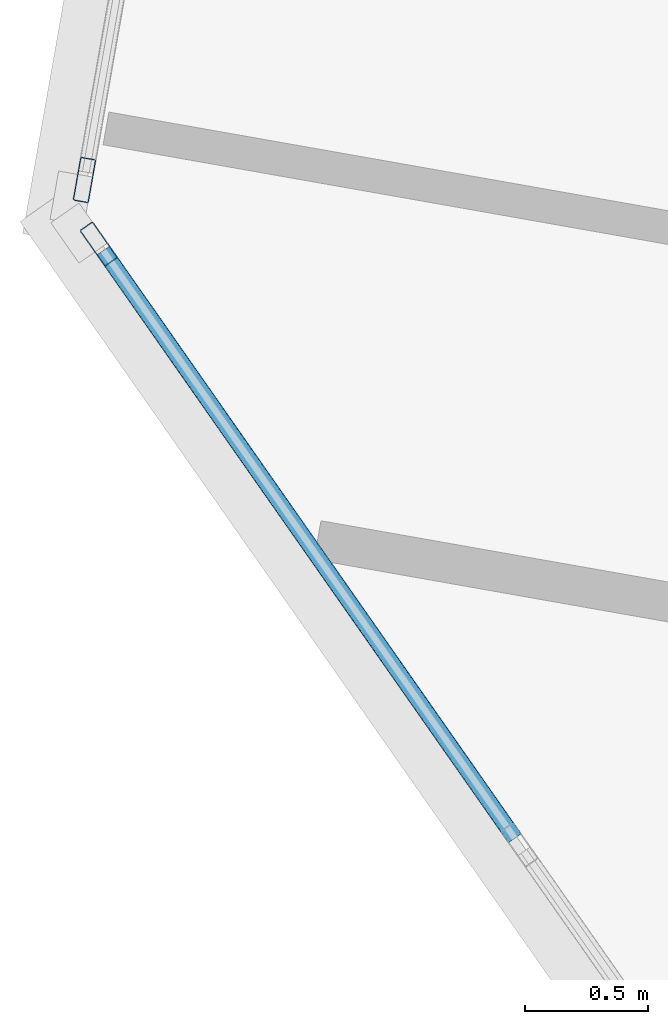
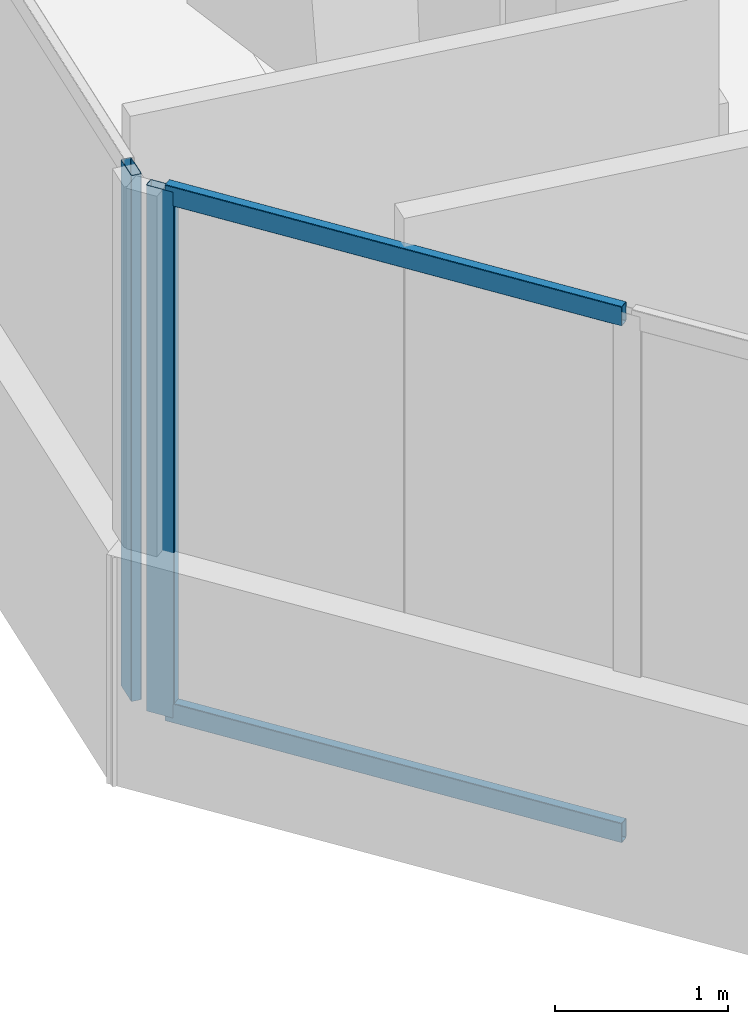
# One storey, part 3 of 24: 4 members, 2 elements without a shape of their own.
"""IFC4 building model written with IfcOpenShell, lengths in metres."""

from ifc_helpers import new_model, si_unit, direction, frame, origin, origin_2d, place, context, subcontext, project, spatial, hollow_rectangle, extrude, source, transform, mapped, material, material_profile, profile_set, type_object, element, aggregate, save


model = new_model("IFC4")

# Units and contexts
model_context = context("Model", 3, precision=1e-05, world=origin(), true_north=direction((0.0, 1.0)))
body_context = subcontext(model_context, "Body", "Model", "MODEL_VIEW")
ifc_project = project(units=[si_unit("LENGTHUNIT", "METRE"), si_unit("AREAUNIT", "SQUARE_METRE"), si_unit("VOLUMEUNIT", "CUBIC_METRE"), si_unit("PLANEANGLEUNIT", "RADIAN"), si_unit("MASSUNIT", "GRAM", prefix="KILO")], contexts=[model_context])

# Site, building, storey
site_placement = place(None, origin())
site = spatial("IfcSite", under=ifc_project, at=site_placement, CompositionType="ELEMENT")
building_placement = place(site_placement, origin())
building = spatial("IfcBuilding", under=site, at=building_placement, Name="Torre Montelarca", CompositionType="ELEMENT")
storey_placement = place(building_placement, frame((0.0, 0.0, 83.199951171875)))
storey = spatial("IfcBuildingStorey", under=building, at=storey_placement, Name="L18", CompositionType="ELEMENT", Elevation=83.199951171875)

# Curtain wall, members
ifc_material_1 = material(Name="Insulated low-E laminated glass", Category="glass")
curtain_wall_type = type_object("IfcCurtainWallType", Name="CW-SYS-Z1", PredefinedType="USERDEFINED", material=ifc_material_1)
curtain_wall_1_placement = place(storey_placement, origin())
curtain_wall_1 = element("IfcCurtainWall", 1, at=curtain_wall_1_placement, inside=storey, type_object=curtain_wall_type, Name="L18 Curtain Wall Run CW-T3-L18-E11-B1", ObjectType="UNITISED GLAZING", PredefinedType="USERDEFINED")
ifc_material_2 = material(Name="Anodised aluminium AA 6063-T6", Category="aluminium")
ifc_material_profile_1 = material_profile(ifc_material_2, hollow_rectangle(XDim=0.06494140625, YDim=0.139892578125, WallThickness=0.00390625, InnerFilletRadius=0.00390625, OuterFilletRadius=0.008056640625, at=origin_2d()), Name="ALU65X140X4", Category="aluminium")
ifc_profile_set_1 = profile_set([ifc_material_profile_1], Name="Anodised aluminium AA 6063-T6")
member_type_1 = type_object("IfcMemberType", Name="CWT-ALU140", PredefinedType="USERDEFINED", material=ifc_profile_set_1)
shared_shape_1 = source(origin(), body_context, "Body", "SweptSolid", [
    extrude(hollow_rectangle(XDim=0.06494140625, YDim=0.139892578125, WallThickness=0.00390625, InnerFilletRadius=0.00390625, OuterFilletRadius=0.008056640625, at=origin_2d()), origin(), (0.0, 0.0, 1.0), 2.918701171875),
])
member_1_placement = place(storey_placement, frame((-1.025634765625, 21.98828125, 0.032470703125), z_axis=(0.573569003746, -0.819157248605, 0.0), x_axis=(0.819157248605, 0.573569003746, 0.0)))
member_1 = element("IfcMember", 2, at=member_1_placement, type_object=member_type_1, Name="CW transom 1.1", ObjectType="TRANSOM", PredefinedType="USERDEFINED", context=body_context, shape_type="MappedRepresentation", body=[
    mapped(shared_shape_1, transform((0.0, 0.0, 0.0), scale=1.0)),
])
member_2_placement = place(storey_placement, frame((-1.025634765625, 21.98828125, 3.6875), z_axis=(0.573569003746, -0.819157248605, 0.0), x_axis=(0.819157248605, 0.573569003746, 0.0)))
member_2 = element("IfcMember", 3, at=member_2_placement, type_object=member_type_1, Name="CW transom 1.2", ObjectType="TRANSOM", PredefinedType="USERDEFINED", context=body_context, shape_type="MappedRepresentation", body=[
    mapped(shared_shape_1, transform((0.0, 0.0, 0.0), scale=1.0)),
])

# Curtain wall, member
curtain_wall_2_placement = place(storey_placement, origin())
curtain_wall_2 = element("IfcCurtainWall", 4, at=curtain_wall_2_placement, inside=storey, type_object=curtain_wall_type, Name="L18 Curtain Wall Run CW-T3-L18-E10-B1", ObjectType="UNITISED GLAZING", PredefinedType="USERDEFINED")
ifc_material_profile_2 = material_profile(ifc_material_2, hollow_rectangle(XDim=0.06494140625, YDim=0.179931640625, WallThickness=0.00390625, InnerFilletRadius=0.00390625, OuterFilletRadius=0.008056640625, at=origin_2d()), Name="ALU65X180X4", Category="aluminium")
ifc_profile_set_2 = profile_set([ifc_material_profile_2], Name="Anodised aluminium AA 6063-T6")
member_type_2 = type_object("IfcMemberType", Name="CWM-ALU180", PredefinedType="MULLION", material=ifc_profile_set_2)
shared_shape_2 = source(origin(), body_context, "Body", "SweptSolid", [
    extrude(hollow_rectangle(XDim=0.06494140625, YDim=0.179931640625, WallThickness=0.00390625, InnerFilletRadius=0.00390625, OuterFilletRadius=0.008056640625, at=origin_2d()), origin(), (0.0, 0.0, 1.0), 3.719970703125),
])
member_3_placement = place(storey_placement, frame((-1.10205078125, 22.275390625, 0.0), z_axis=(0.0, 0.0, 1.0), x_axis=(0.984808126187, -0.173646061274, 0.0)))
member_3 = element("IfcMember", 5, at=member_3_placement, type_object=member_type_2, Name="CW mullion 3", PredefinedType="MULLION", context=body_context, shape_type="MappedRepresentation", body=[
    mapped(shared_shape_2, transform((0.0, 0.0, 0.0), scale=1.0)),
])
aggregate(curtain_wall_2, [member_3])

# Member
member_4_placement = place(storey_placement, frame((-1.044189453125, 22.014892578125, 0.0), z_axis=(0.0, 0.0, 1.0), x_axis=(0.819173505874, 0.573545784811, 0.0)))
member_4 = element("IfcMember", 6, at=member_4_placement, type_object=member_type_2, Name="CW mullion 1", PredefinedType="MULLION", context=body_context, shape_type="MappedRepresentation", body=[
    mapped(shared_shape_2, transform((0.0, 0.0, 0.0), scale=1.0)),
])

aggregate(curtain_wall_1, [member_4, member_1, member_2])

save(model, "model.ifc")
